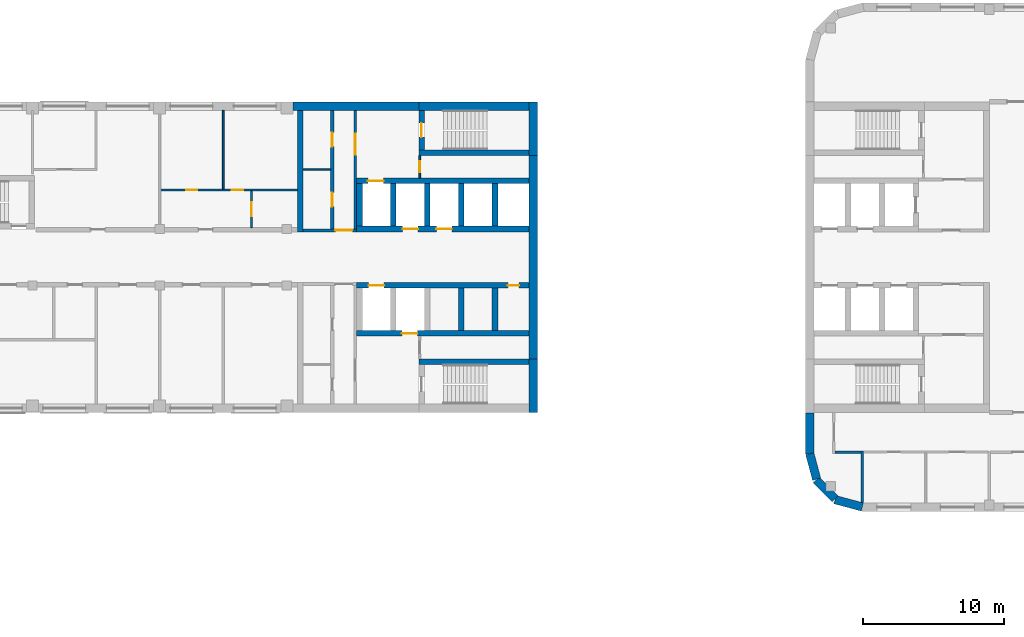
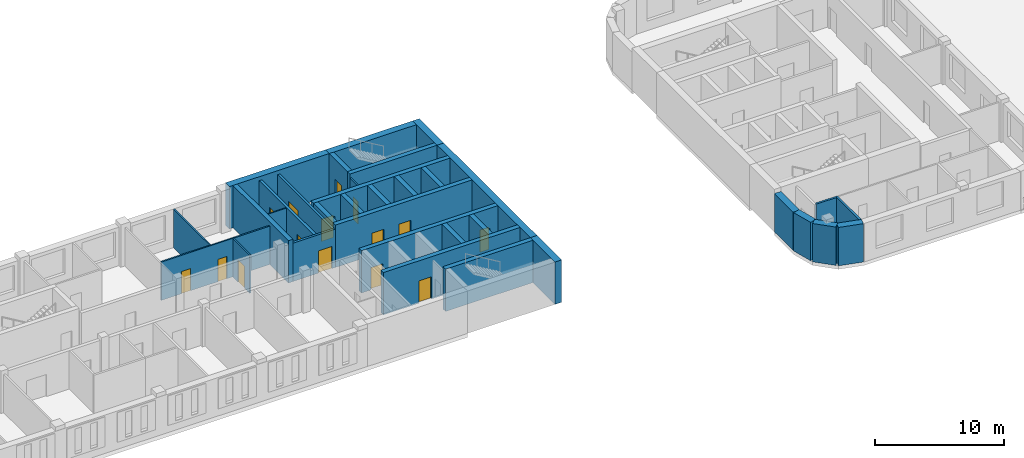
# One storey, part 6 of 14: 34 walls, 15 doors, 15 openings.
"""IFC4 building model written with IfcOpenShell, lengths in metres."""

from ifc_helpers import new_model, si_unit, direction, frame, frame_2d, origin, place, context, subcontext, project, spatial, rectangle, extrude, material, layer, layer_set, type_object, element, fill, save


model = new_model("IFC4")

# Units and contexts
model_context = context("Model", 3, precision=1e-05, world=origin(), true_north=direction((0.0, 1.0)))
body_context = subcontext(model_context, "Body", "Model", "MODEL_VIEW")
ifc_project = project(units=[si_unit("LENGTHUNIT", "METRE"), si_unit("AREAUNIT", "SQUARE_METRE"), si_unit("VOLUMEUNIT", "CUBIC_METRE"), si_unit("PLANEANGLEUNIT", "RADIAN"), si_unit("MASSUNIT", "GRAM", prefix="KILO")], contexts=[model_context])

# Site, building, storey
site_placement = place(None, origin())
site = spatial("IfcSite", under=ifc_project, at=site_placement, CompositionType="ELEMENT")
building_placement = place(site_placement, origin())
building = spatial("IfcBuilding", under=site, at=building_placement, Name="Skarvind Civic Tower", CompositionType="ELEMENT")
storey_placement = place(building_placement, frame((0.0, 0.0, 89.0)))
storey = spatial("IfcBuildingStorey", under=building, at=storey_placement, Name="L20", CompositionType="ELEMENT", Elevation=89.0)

# Walls
ifc_material_1 = material(Name="Acoustic gypsum board on steel studs", Category="steel")
ifc_layer_1 = layer(ifc_material_1, 0.175048828125)
ifc_layer_set_1 = layer_set([ifc_layer_1], Name="ACOUSTIC MEETING-ROOM PARTITION 175")
wall_type_1 = type_object("IfcWallType", Name="ACOUSTIC MEETING-ROOM PARTITION 175", PredefinedType="PARTITIONING", material=ifc_layer_set_1)
wall_1_placement = place(storey_placement, frame((130.912109375, 114.199951171875, 0.0), z_axis=(0.0, 0.0, 1.0), x_axis=(-1.0, 0.0, 0.0)))
element("IfcWall", 1, at=wall_1_placement, inside=storey, type_object=wall_type_1, Name="Partition 20.002", PredefinedType="PARTITIONING", context=body_context, shape_type="SweptSolid", body=[
    extrude(rectangle(XDim=1.82421875, YDim=0.175048828125, at=frame_2d((0.912109375, 0.0))), origin(), (0.0, 0.0, 1.0), 3.625),
])
wall_2_placement = place(storey_placement, frame((131.0, 114.2880859375, 0.0), z_axis=(0.0, 0.0, 1.0), x_axis=(0.0, -1.0, 0.0)))
element("IfcWall", 2, at=wall_2_placement, inside=storey, type_object=wall_type_1, Name="Partition 20.004", PredefinedType="PARTITIONING", context=body_context, shape_type="SweptSolid", body=[
    extrude(rectangle(XDim=3.6669921875, YDim=0.175048828125, at=frame_2d((1.83349609375, 0.0))), origin(), (0.0, 0.0, 1.0), 3.625),
])

# Wall, opening, door
ifc_material_2 = material(Name="Fire-rated masonry partition", Category="masonry")
ifc_layer_2 = layer(ifc_material_2, 0.199951171875)
ifc_layer_set_2 = layer_set([ifc_layer_2], Name="Core enclosure wall 200")
wall_type_2 = type_object("IfcWallType", Name="Core enclosure wall 200", PredefinedType="PARTITIONING", material=ifc_layer_set_2)
wall_3_placement = place(storey_placement, frame((91.39990234375, 129.89990234375, 0.0), z_axis=(0.0, 0.0, 1.0), x_axis=(1.0, 0.0, 0.0)))
wall_3 = element("IfcWall", 3, at=wall_3_placement, inside=storey, type_object=wall_type_2, Name="Core wall C1", PredefinedType="PARTITIONING", context=body_context, shape_type="SweptSolid", body=[
    extrude(rectangle(XDim=3.800048828125, YDim=0.199951171875, at=frame_2d((1.89990234375, 0.0))), origin(), (0.0, 0.0, 1.0), 3.625),
])
opening_1_placement = place(wall_3_placement, frame((2.300048828125, 0.0, 0.0)))
opening_1 = element("IfcOpeningElement", 4, at=opening_1_placement, cuts=wall_3, Name="Opening D-L20-C1-11", PredefinedType="OPENING", context=body_context, shape_type="SweptSolid", body=[
    extrude(rectangle(XDim=1.199951171875, YDim=2.10009765625, at=frame_2d((0.60009765625, 1.050048828125))), frame((0.0, 0.10986328125, 0.0), z_axis=(0.0, -1.0, 0.0), x_axis=(1.0, 0.0, 0.0)), (0.0, 0.0, 1.0), 0.219970703125),
])
ifc_material_3 = material(Name="Fire-rated steel door", Category="steel")
door_type_1 = type_object("IfcDoorType", Name="Core lobby door 1200", OperationType="NOTDEFINED", PredefinedType="DOOR", material=ifc_material_3)
door_1_placement = place(opening_1_placement, origin())
door_1 = element("IfcDoor", 5, at=door_1_placement, inside=storey, type_object=door_type_1, Name="Fire door", OperationType="DOUBLE_DOOR_SINGLE_SWING", OverallHeight=2.10009765625, OverallWidth=1.199951171875, PredefinedType="DOOR", context=body_context, shape_type="SweptSolid", body=[
    extrude(rectangle(XDim=1.199951171875, YDim=2.10009765625, at=frame_2d((0.60009765625, 1.050048828125))), frame((0.0, 0.02490234375, 0.0), z_axis=(0.0, -1.0, 0.0), x_axis=(1.0, 0.0, 0.0)), (0.0, 0.0, 1.0), 0.050048828125),
])
fill(opening_1, door_1)

wall_4_placement = place(storey_placement, frame((95.10009765625, 130.0, 0.0), z_axis=(0.0, 0.0, 1.0), x_axis=(0.0, 1.0, 0.0)))
wall_4 = element("IfcWall", 6, at=wall_4_placement, inside=storey, type_object=wall_type_2, Name="Core wall C1", PredefinedType="PARTITIONING", context=body_context, shape_type="SweptSolid", body=[
    extrude(rectangle(XDim=8.39990234375, YDim=0.199951171875, at=frame_2d((4.199951171875, 0.0))), origin(), (0.0, 0.0, 1.0), 3.625),
])
opening_2_placement = place(wall_4_placement, frame((5.25, 0.0, 0.0)))
opening_2 = element("IfcOpeningElement", 7, at=opening_2_placement, cuts=wall_4, Name="Opening D-L20-C1-12", PredefinedType="OPENING", context=body_context, shape_type="SweptSolid", body=[
    extrude(rectangle(XDim=1.5, YDim=2.10009765625, at=frame_2d((0.75, 1.050048828125))), frame((0.0, 0.10986328125, 0.0), z_axis=(0.0, -1.0, 0.0), x_axis=(1.0, 0.0, 0.0)), (0.0, 0.0, 1.0), 0.219970703125),
])
door_type_2 = type_object("IfcDoorType", Name="Fire door 1500", OperationType="NOTDEFINED", PredefinedType="DOOR", material=ifc_material_3)
door_2_placement = place(opening_2_placement, origin())
door_2 = element("IfcDoor", 8, at=door_2_placement, inside=storey, type_object=door_type_2, Name="Fire door", OperationType="DOUBLE_DOOR_SINGLE_SWING", OverallHeight=2.10009765625, OverallWidth=1.5, PredefinedType="DOOR", context=body_context, shape_type="SweptSolid", body=[
    extrude(rectangle(XDim=1.5, YDim=2.10009765625, at=frame_2d((0.75, 1.050048828125))), frame((0.0, 0.02490234375, 0.0), z_axis=(0.0, -1.0, 0.0), x_axis=(1.0, 0.0, 0.0)), (0.0, 0.0, 1.0), 0.050048828125),
])
fill(opening_2, door_2)

# Walls
ifc_material_4 = material(Name="Fire-rated plasterboard partition")
ifc_layer_3 = layer(ifc_material_4, 0.10009765625)
ifc_layer_set_3 = layer_set([ifc_layer_3], Name="Core partition wall 100")
wall_type_3 = type_object("IfcWallType", Name="Core partition wall 100", PredefinedType="PARTITIONING", material=ifc_layer_set_3)
wall_5_placement = place(storey_placement, frame((91.39990234375, 134.199951171875, 0.0), z_axis=(0.0, 0.0, 1.0), x_axis=(1.0, 0.0, 0.0)))
element("IfcWall", 9, at=wall_5_placement, inside=storey, type_object=wall_type_3, Name="Core wall C1", PredefinedType="PARTITIONING", context=body_context, shape_type="SweptSolid", body=[
    extrude(rectangle(XDim=1.9501953125, YDim=0.10009765625, at=frame_2d((0.97509765625, 0.0))), origin(), (0.0, 0.0, 1.0), 3.625),
])
ifc_material_5 = material(Name="Concrete C80", Category="concrete")
ifc_layer_4 = layer(ifc_material_5, 0.39990234375)
ifc_layer_set_4 = layer_set([ifc_layer_4], Name="Core wall 400 C80")
wall_type_4 = type_object("IfcWallType", Name="Core wall 400 C80", PredefinedType="SHEAR", material=ifc_layer_set_4)
wall_6_placement = place(storey_placement, frame((107.39990234375, 135.39990234375, 0.0), z_axis=(0.0, 0.0, 1.0), x_axis=(-1.0, 0.0, 0.0)))
element("IfcWall", 10, at=wall_6_placement, inside=storey, type_object=wall_type_4, Name="Core wall C1 south stair inner L20", PredefinedType="SHEAR", context=body_context, shape_type="SweptSolid", body=[
    extrude(rectangle(XDim=7.7998046875, YDim=0.39990234375, at=frame_2d((3.89990234375, 0.0))), origin(), (0.0, 0.0, 1.0), 4.0),
])

# Wall, opening, door
wall_7_placement = place(storey_placement, frame((99.800048828125, 138.39990234375, 0.0), z_axis=(0.0, 0.0, 1.0), x_axis=(0.0, -1.0, 0.0)))
wall_7 = element("IfcWall", 11, at=wall_7_placement, inside=storey, type_object=wall_type_4, Name="Core wall C1 south stair end L20", PredefinedType="SHEAR", context=body_context, shape_type="SweptSolid", body=[
    extrude(rectangle(XDim=2.7998046875, YDim=0.39990234375, at=frame_2d((1.39990234375, 0.0))), origin(), (0.0, 0.0, 1.0), 4.0),
])
opening_3_placement = place(wall_7_placement, frame((0.89990234375, 0.0, 0.0)))
opening_3 = element("IfcOpeningElement", 12, at=opening_3_placement, cuts=wall_7, Name="Opening D-L20-C1-13", PredefinedType="OPENING", context=body_context, shape_type="SweptSolid", body=[
    extrude(rectangle(XDim=1.0, YDim=2.10009765625, at=frame_2d((0.5, 1.050048828125))), frame((0.0, 0.2099609375, 0.0), z_axis=(0.0, -1.0, 0.0), x_axis=(1.0, 0.0, 0.0)), (0.0, 0.0, 1.0), 0.419921875),
])
door_type_3 = type_object("IfcDoorType", Name="Fire door 1000", OperationType="NOTDEFINED", PredefinedType="DOOR", material=ifc_material_3)
door_3_placement = place(opening_3_placement, origin())
door_3 = element("IfcDoor", 13, at=door_3_placement, inside=storey, type_object=door_type_3, Name="Fire door", OperationType="SINGLE_SWING_RIGHT", OverallHeight=2.10009765625, OverallWidth=1.0, PredefinedType="DOOR", context=body_context, shape_type="SweptSolid", body=[
    extrude(rectangle(XDim=1.0, YDim=2.10009765625, at=frame_2d((0.5, 1.050048828125))), frame((0.0, 0.02490234375, 0.0), z_axis=(0.0, -1.0, 0.0), x_axis=(1.0, 0.0, 0.0)), (0.0, 0.0, 1.0), 0.050048828125),
])
fill(opening_3, door_3)

# Wall
wall_8_placement = place(storey_placement, frame((107.39990234375, 120.60009765625, 0.0), z_axis=(0.0, 0.0, 1.0), x_axis=(-1.0, 0.0, 0.0)))
element("IfcWall", 14, at=wall_8_placement, inside=storey, type_object=wall_type_4, Name="Core wall C1 north stair inner L20", PredefinedType="SHEAR", context=body_context, shape_type="SweptSolid", body=[
    extrude(rectangle(XDim=7.7998046875, YDim=0.39990234375, at=frame_2d((3.89990234375, 0.0))), origin(), (0.0, 0.0, 1.0), 4.0),
])

# Wall, openings, doors
wall_9_placement = place(storey_placement, frame((107.39990234375, 130.0, 0.0), z_axis=(0.0, 0.0, 1.0), x_axis=(-1.0, 0.0, 0.0)))
wall_9 = element("IfcWall", 15, at=wall_9_placement, inside=storey, type_object=wall_type_4, Name="Core wall C1 south lift row front L20", PredefinedType="SHEAR", context=body_context, shape_type="SweptSolid", body=[
    extrude(rectangle(XDim=12.199951171875, YDim=0.39990234375, at=frame_2d((6.10009765625, 0.0))), origin(), (0.0, 0.0, 1.0), 4.0),
])
opening_4_placement = place(wall_9_placement, frame((5.449951171875, 0.0, 0.0)))
opening_4 = element("IfcOpeningElement", 16, at=opening_4_placement, cuts=wall_9, Name="Opening LD22108", PredefinedType="OPENING", context=body_context, shape_type="SweptSolid", body=[
    extrude(rectangle(XDim=1.10009765625, YDim=2.10009765625, at=frame_2d((0.550048828125, 1.050048828125))), frame((0.0, 0.2099609375, 0.0), z_axis=(0.0, -1.0, 0.0), x_axis=(1.0, 0.0, 0.0)), (0.0, 0.0, 1.0), 0.419921875),
])
opening_5_placement = place(wall_9_placement, frame((7.85009765625, 0.0, 0.0)))
opening_5 = element("IfcOpeningElement", 17, at=opening_5_placement, cuts=wall_9, Name="Opening LD22109", PredefinedType="OPENING", context=body_context, shape_type="SweptSolid", body=[
    extrude(rectangle(XDim=1.10009765625, YDim=2.10009765625, at=frame_2d((0.550048828125, 1.050048828125))), frame((0.0, 0.2099609375, 0.0), z_axis=(0.0, -1.0, 0.0), x_axis=(1.0, 0.0, 0.0)), (0.0, 0.0, 1.0), 0.419921875),
])
ifc_material_6 = material(Name="Stainless steel landing door", Category="steel")
door_type_4 = type_object("IfcDoorType", Name="Lift landing door 1100", OperationType="DOUBLE_DOOR_SLIDING", PredefinedType="DOOR", material=ifc_material_6)
door_4_placement = place(opening_4_placement, origin())
door_4 = element("IfcDoor", 18, at=door_4_placement, inside=storey, type_object=door_type_4, Name="Lift landing door", OperationType="DOUBLE_DOOR_SLIDING", OverallHeight=2.10009765625, OverallWidth=1.10009765625, PredefinedType="DOOR", context=body_context, shape_type="SweptSolid", body=[
    extrude(rectangle(XDim=1.10009765625, YDim=2.10009765625, at=frame_2d((0.550048828125, 1.050048828125))), frame((0.0, 0.02490234375, 0.0), z_axis=(0.0, -1.0, 0.0), x_axis=(1.0, 0.0, 0.0)), (0.0, 0.0, 1.0), 0.050048828125),
])
fill(opening_4, door_4)
door_5_placement = place(opening_5_placement, origin())
door_5 = element("IfcDoor", 19, at=door_5_placement, inside=storey, type_object=door_type_4, Name="Lift landing door", OperationType="DOUBLE_DOOR_SLIDING", OverallHeight=2.10009765625, OverallWidth=1.10009765625, PredefinedType="DOOR", context=body_context, shape_type="SweptSolid", body=[
    extrude(rectangle(XDim=1.10009765625, YDim=2.10009765625, at=frame_2d((0.550048828125, 1.050048828125))), frame((0.0, 0.02490234375, 0.0), z_axis=(0.0, -1.0, 0.0), x_axis=(1.0, 0.0, 0.0)), (0.0, 0.0, 1.0), 0.050048828125),
])
fill(opening_5, door_5)

# Wall, opening, door
wall_10_placement = place(storey_placement, frame((107.39990234375, 133.39990234375, 0.0), z_axis=(0.0, 0.0, 1.0), x_axis=(-1.0, 0.0, 0.0)))
wall_10 = element("IfcWall", 20, at=wall_10_placement, inside=storey, type_object=wall_type_4, Name="Core wall C1 south lift row back L20", PredefinedType="SHEAR", context=body_context, shape_type="SweptSolid", body=[
    extrude(rectangle(XDim=12.199951171875, YDim=0.39990234375, at=frame_2d((6.10009765625, 0.0))), origin(), (0.0, 0.0, 1.0), 4.0),
])
opening_6_placement = place(wall_10_placement, frame((10.300048828125, 0.0, 0.0)))
opening_6 = element("IfcOpeningElement", 21, at=opening_6_placement, cuts=wall_10, Name="Opening LD22110", PredefinedType="OPENING", context=body_context, shape_type="SweptSolid", body=[
    extrude(rectangle(XDim=1.10009765625, YDim=2.10009765625, at=frame_2d((0.550048828125, 1.050048828125))), frame((0.0, 0.2099609375, 0.0), z_axis=(0.0, -1.0, 0.0), x_axis=(1.0, 0.0, 0.0)), (0.0, 0.0, 1.0), 0.419921875),
])
door_6_placement = place(opening_6_placement, origin())
door_6 = element("IfcDoor", 22, at=door_6_placement, inside=storey, type_object=door_type_4, Name="Lift landing door", OperationType="DOUBLE_DOOR_SLIDING", OverallHeight=2.10009765625, OverallWidth=1.10009765625, PredefinedType="DOOR", context=body_context, shape_type="SweptSolid", body=[
    extrude(rectangle(XDim=1.10009765625, YDim=2.10009765625, at=frame_2d((0.550048828125, 1.050048828125))), frame((0.0, 0.02490234375, 0.0), z_axis=(0.0, -1.0, 0.0), x_axis=(1.0, 0.0, 0.0)), (0.0, 0.0, 1.0), 0.050048828125),
])
fill(opening_6, door_6)

# Walls
for number, where, z_axis, x_axis, name in (
    (23, (105.0, 133.199951171875, 0.0), (0.0, 0.0, 1.0), (0.0, -1.0, 0.0), "Core wall C1 south lift row division 1 L20"),
    (24, (102.60009765625, 133.199951171875, 0.0), (0.0, 0.0, 1.0), (0.0, -1.0, 0.0), "Core wall C1 south lift row division 2 L20"),
    (25, (100.199951171875, 133.199951171875, 0.0), (0.0, 0.0, 1.0), (0.0, -1.0, 0.0), "Core wall C1 south lift row division 3 L20"),
    (26, (97.800048828125, 133.199951171875, 0.0), (0.0, 0.0, 1.0), (0.0, -1.0, 0.0), "Core wall C1 south lift row division 4 L20"),
    (27, (95.39990234375, 133.199951171875, 0.0), (0.0, 0.0, 1.0), (0.0, -1.0, 0.0), "Core wall C1 south lift row division 5 L20"),
):
    element("IfcWall", number, at=place(storey_placement, frame(where, z_axis=z_axis, x_axis=x_axis)), inside=storey, type_object=wall_type_4, Name=name, PredefinedType="SHEAR", context=body_context, shape_type="SweptSolid", body=[
        extrude(rectangle(XDim=3.0, YDim=0.39990234375, at=frame_2d((1.5, 0.0))), origin(), (0.0, 0.0, 1.0), 4.0),
    ])

# Wall, openings, doors
wall_11_placement = place(storey_placement, frame((107.39990234375, 126.0, 0.0), z_axis=(0.0, 0.0, 1.0), x_axis=(-1.0, 0.0, 0.0)))
wall_11 = element("IfcWall", 28, at=wall_11_placement, inside=storey, type_object=wall_type_4, Name="Core wall C1 north lift row front L20", PredefinedType="SHEAR", context=body_context, shape_type="SweptSolid", body=[
    extrude(rectangle(XDim=12.199951171875, YDim=0.39990234375, at=frame_2d((6.10009765625, 0.0))), origin(), (0.0, 0.0, 1.0), 4.0),
])
opening_7_placement = place(wall_11_placement, frame((10.25, 0.0, 0.0)))
opening_7 = element("IfcOpeningElement", 29, at=opening_7_placement, cuts=wall_11, Name="Opening LD22105", PredefinedType="OPENING", context=body_context, shape_type="SweptSolid", body=[
    extrude(rectangle(XDim=1.10009765625, YDim=2.10009765625, at=frame_2d((0.550048828125, 1.050048828125))), frame((0.0, 0.2099609375, 0.0), z_axis=(0.0, -1.0, 0.0), x_axis=(1.0, 0.0, 0.0)), (0.0, 0.0, 1.0), 0.419921875),
])
opening_8_placement = place(wall_11_placement, frame((0.699951171875, 0.0, 0.0)))
opening_8 = element("IfcOpeningElement", 30, at=opening_8_placement, cuts=wall_11, Name="Opening D-L20-C1-04", PredefinedType="OPENING", context=body_context, shape_type="SweptSolid", body=[
    extrude(rectangle(XDim=0.800048828125, YDim=2.10009765625, at=frame_2d((0.39990234375, 1.050048828125))), frame((0.0, 0.2099609375, 0.0), z_axis=(0.0, -1.0, 0.0), x_axis=(1.0, 0.0, 0.0)), (0.0, 0.0, 1.0), 0.419921875),
])
door_type_5 = type_object("IfcDoorType", Name="Core riser door 800", OperationType="NOTDEFINED", PredefinedType="DOOR", material=ifc_material_3)
door_7_placement = place(opening_8_placement, origin())
door_7 = element("IfcDoor", 31, at=door_7_placement, inside=storey, type_object=door_type_5, Name="Riser door", OperationType="SINGLE_SWING_LEFT", OverallHeight=2.10009765625, OverallWidth=0.800048828125, PredefinedType="DOOR", context=body_context, shape_type="SweptSolid", body=[
    extrude(rectangle(XDim=0.800048828125, YDim=2.10009765625, at=frame_2d((0.39990234375, 1.050048828125))), frame((0.0, 0.02490234375, 0.0), z_axis=(0.0, -1.0, 0.0), x_axis=(1.0, 0.0, 0.0)), (0.0, 0.0, 1.0), 0.050048828125),
])
fill(opening_8, door_7)
door_8_placement = place(opening_7_placement, origin())
door_8 = element("IfcDoor", 32, at=door_8_placement, inside=storey, type_object=door_type_4, Name="Lift landing door", OperationType="DOUBLE_DOOR_SLIDING", OverallHeight=2.10009765625, OverallWidth=1.10009765625, PredefinedType="DOOR", context=body_context, shape_type="SweptSolid", body=[
    extrude(rectangle(XDim=1.10009765625, YDim=2.10009765625, at=frame_2d((0.550048828125, 1.050048828125))), frame((0.0, 0.02490234375, 0.0), z_axis=(0.0, -1.0, 0.0), x_axis=(1.0, 0.0, 0.0)), (0.0, 0.0, 1.0), 0.050048828125),
])
fill(opening_7, door_8)

# Wall, opening, door
wall_12_placement = place(storey_placement, frame((107.39990234375, 122.60009765625, 0.0), z_axis=(0.0, 0.0, 1.0), x_axis=(-1.0, 0.0, 0.0)))
wall_12 = element("IfcWall", 33, at=wall_12_placement, inside=storey, type_object=wall_type_4, Name="Core wall C1 north lift row back L20", PredefinedType="SHEAR", context=body_context, shape_type="SweptSolid", body=[
    extrude(rectangle(XDim=12.199951171875, YDim=0.39990234375, at=frame_2d((6.10009765625, 0.0))), origin(), (0.0, 0.0, 1.0), 4.0),
])
opening_9_placement = place(wall_12_placement, frame((7.89990234375, 0.0, 0.0)))
opening_9 = element("IfcOpeningElement", 34, at=opening_9_placement, cuts=wall_12, Name="Opening LD22104", PredefinedType="OPENING", context=body_context, shape_type="SweptSolid", body=[
    extrude(rectangle(XDim=1.10009765625, YDim=2.10009765625, at=frame_2d((0.550048828125, 1.050048828125))), frame((0.0, 0.2099609375, 0.0), z_axis=(0.0, -1.0, 0.0), x_axis=(1.0, 0.0, 0.0)), (0.0, 0.0, 1.0), 0.419921875),
])
door_9_placement = place(opening_9_placement, origin())
door_9 = element("IfcDoor", 35, at=door_9_placement, inside=storey, type_object=door_type_4, Name="Lift landing door", OperationType="DOUBLE_DOOR_SLIDING", OverallHeight=2.10009765625, OverallWidth=1.10009765625, PredefinedType="DOOR", context=body_context, shape_type="SweptSolid", body=[
    extrude(rectangle(XDim=1.10009765625, YDim=2.10009765625, at=frame_2d((0.550048828125, 1.050048828125))), frame((0.0, 0.02490234375, 0.0), z_axis=(0.0, -1.0, 0.0), x_axis=(1.0, 0.0, 0.0)), (0.0, 0.0, 1.0), 0.050048828125),
])
fill(opening_9, door_9)

# Walls
for number, where, z_axis, x_axis, name in (
    (36, (105.0, 125.800048828125, 0.0), (0.0, 0.0, 1.0), (0.0, -1.0, 0.0), "Core wall C1 north lift row division 1 L20"),
    (37, (102.60009765625, 125.800048828125, 0.0), (0.0, 0.0, 1.0), (0.0, -1.0, 0.0), "Core wall C1 north lift row division 2 L20"),
):
    element("IfcWall", number, at=place(storey_placement, frame(where, z_axis=z_axis, x_axis=x_axis)), inside=storey, type_object=wall_type_4, Name=name, PredefinedType="SHEAR", context=body_context, shape_type="SweptSolid", body=[
        extrude(rectangle(XDim=3.0, YDim=0.39990234375, at=frame_2d((1.5, 0.0))), origin(), (0.0, 0.0, 1.0), 4.0),
    ])
wall_13_placement = place(storey_placement, frame((91.199951171875, 138.39990234375, 0.0), z_axis=(0.0, 0.0, 1.0), x_axis=(0.0, -1.0, 0.0)))
element("IfcWall", 38, at=wall_13_placement, inside=storey, type_object=wall_type_4, Name="Core wall C1 south inner face L20", PredefinedType="SHEAR", context=body_context, shape_type="SweptSolid", body=[
    extrude(rectangle(XDim=8.599853515625, YDim=0.39990234375, at=frame_2d((4.2998046875, 0.0))), origin(), (0.0, 0.0, 1.0), 4.0),
])
ifc_layer_5 = layer(ifc_material_5, 0.60009765625)
ifc_layer_set_5 = layer_set([ifc_layer_5], Name="Core wall 600 C80")
wall_type_5 = type_object("IfcWallType", Name="Core wall 600 C80", PredefinedType="SHEAR", material=ifc_layer_set_5)
wall_14_placement = place(storey_placement, frame((107.699951171875, 139.0, 0.0), z_axis=(0.0, 0.0, 1.0), x_axis=(0.0, -1.0, 0.0)))
element("IfcWall", 39, at=wall_14_placement, inside=storey, type_object=wall_type_5, Name="Core wall C1 tip at the south stair L20", PredefinedType="SHEAR", context=body_context, shape_type="SweptSolid", body=[
    extrude(rectangle(XDim=3.800048828125, YDim=0.60009765625, at=frame_2d((1.89990234375, 0.0))), origin(), (0.0, 0.0, 1.0), 4.0),
])
wall_15_placement = place(storey_placement, frame((107.699951171875, 135.199951171875, 0.0), z_axis=(0.0, 0.0, 1.0), x_axis=(0.0, -1.0, 0.0)))
element("IfcWall", 40, at=wall_15_placement, inside=storey, type_object=wall_type_5, Name="Core wall C1 tip between the stairs L20", PredefinedType="SHEAR", context=body_context, shape_type="SweptSolid", body=[
    extrude(rectangle(XDim=14.39990234375, YDim=0.60009765625, at=frame_2d((7.199951171875, 0.0))), origin(), (0.0, 0.0, 1.0), 4.0),
])
wall_16_placement = place(storey_placement, frame((107.699951171875, 120.800048828125, 0.0), z_axis=(0.0, 0.0, 1.0), x_axis=(0.0, -1.0, 0.0)))
element("IfcWall", 41, at=wall_16_placement, inside=storey, type_object=wall_type_5, Name="Core wall C1 tip at the north stair L20", PredefinedType="SHEAR", context=body_context, shape_type="SweptSolid", body=[
    extrude(rectangle(XDim=3.800048828125, YDim=0.60009765625, at=frame_2d((1.89990234375, 0.0))), origin(), (0.0, 0.0, 1.0), 4.0),
])
wall_17_placement = place(storey_placement, frame((107.39990234375, 138.699951171875, 0.0), z_axis=(0.0, 0.0, 1.0), x_axis=(-1.0, 0.0, 0.0)))
element("IfcWall", 42, at=wall_17_placement, inside=storey, type_object=wall_type_5, Name="Core wall C1 south side at the stair L20", PredefinedType="SHEAR", context=body_context, shape_type="SweptSolid", body=[
    extrude(rectangle(XDim=7.7998046875, YDim=0.60009765625, at=frame_2d((3.89990234375, 0.0))), origin(), (0.0, 0.0, 1.0), 4.0),
])
wall_18_placement = place(storey_placement, frame((99.60009765625, 138.699951171875, 0.0), z_axis=(0.0, 0.0, 1.0), x_axis=(-1.0, 0.0, 0.0)))
element("IfcWall", 43, at=wall_18_placement, inside=storey, type_object=wall_type_5, Name="Core wall C1 south side L20", PredefinedType="SHEAR", context=body_context, shape_type="SweptSolid", body=[
    extrude(rectangle(XDim=8.925048828125, YDim=0.60009765625, at=frame_2d((4.46240234375, 0.0))), origin(), (0.0, 0.0, 1.0), 4.0),
])

# Wall, opening, door
ifc_layer_6 = layer(ifc_material_2, 0.125)
ifc_layer_set_6 = layer_set([ifc_layer_6], Name="Riser wall 125")
wall_type_6 = type_object("IfcWallType", Name="Riser wall 125", PredefinedType="PARTITIONING", material=ifc_layer_set_6)
wall_19_placement = place(storey_placement, frame((99.66259765625, 133.60009765625, 0.0), z_axis=(0.0, 0.0, 1.0), x_axis=(0.0, 1.0, 0.0)))
wall_19 = element("IfcWall", 44, at=wall_19_placement, inside=storey, type_object=wall_type_6, Name="Core wall C1", PredefinedType="PARTITIONING", context=body_context, shape_type="SweptSolid", body=[
    extrude(rectangle(XDim=1.599853515625, YDim=0.125, at=frame_2d((0.7998046875, 0.0))), origin(), (0.0, 0.0, 1.0), 3.625),
])
opening_10_placement = place(wall_19_placement, frame((0.39990234375, 0.0, 0.0)))
opening_10 = element("IfcOpeningElement", 45, at=opening_10_placement, cuts=wall_19, Name="Opening D-L20-C1-14", PredefinedType="OPENING", context=body_context, shape_type="SweptSolid", body=[
    extrude(rectangle(XDim=0.800048828125, YDim=2.10009765625, at=frame_2d((0.39990234375, 1.050048828125))), frame((0.0, 0.072509765625, 0.0), z_axis=(0.0, -1.0, 0.0), x_axis=(1.0, 0.0, 0.0)), (0.0, 0.0, 1.0), 0.14501953125),
])
door_10_placement = place(opening_10_placement, origin())
door_10 = element("IfcDoor", 46, at=door_10_placement, inside=storey, type_object=door_type_5, Name="Riser door", OperationType="SINGLE_SWING_LEFT", OverallHeight=2.10009765625, OverallWidth=0.800048828125, PredefinedType="DOOR", context=body_context, shape_type="SweptSolid", body=[
    extrude(rectangle(XDim=0.800048828125, YDim=2.10009765625, at=frame_2d((0.39990234375, 1.050048828125))), frame((0.0, 0.02490234375, 0.0), z_axis=(0.0, -1.0, 0.0), x_axis=(1.0, 0.0, 0.0)), (0.0, 0.0, 1.0), 0.050048828125),
])
fill(opening_10, door_10)

# Wall, openings, doors
ifc_layer_7 = layer(ifc_material_2, 0.25)
ifc_layer_set_7 = layer_set([ifc_layer_7], Name="Service block wall 250")
wall_type_7 = type_object("IfcWallType", Name="Service block wall 250", PredefinedType="PARTITIONING", material=ifc_layer_set_7)
wall_20_placement = place(storey_placement, frame((93.47509765625, 130.0, 0.0), z_axis=(0.0, 0.0, 1.0), x_axis=(0.0, 1.0, 0.0)))
wall_20 = element("IfcWall", 47, at=wall_20_placement, inside=storey, type_object=wall_type_7, Name="Core wall C1", PredefinedType="PARTITIONING", context=body_context, shape_type="SweptSolid", body=[
    extrude(rectangle(XDim=8.39990234375, YDim=0.25, at=frame_2d((4.199951171875, 0.0))), origin(), (0.0, 0.0, 1.0), 3.625),
])
opening_11_placement = place(wall_20_placement, frame((1.574951171875, 0.0, 0.0)))
opening_11 = element("IfcOpeningElement", 48, at=opening_11_placement, cuts=wall_20, Name="Opening D-L20-C1-15", PredefinedType="OPENING", context=body_context, shape_type="SweptSolid", body=[
    extrude(rectangle(XDim=1.0, YDim=2.10009765625, at=frame_2d((0.5, 1.050048828125))), frame((0.0, 0.135009765625, 0.0), z_axis=(0.0, -1.0, 0.0), x_axis=(1.0, 0.0, 0.0)), (0.0, 0.0, 1.0), 0.27001953125),
])
opening_12_placement = place(wall_20_placement, frame((5.824951171875, 0.0, 0.0)))
opening_12 = element("IfcOpeningElement", 49, at=opening_12_placement, cuts=wall_20, Name="Opening D-L20-C1-16", PredefinedType="OPENING", context=body_context, shape_type="SweptSolid", body=[
    extrude(rectangle(XDim=1.0, YDim=2.10009765625, at=frame_2d((0.5, 1.050048828125))), frame((0.0, 0.135009765625, 0.0), z_axis=(0.0, -1.0, 0.0), x_axis=(1.0, 0.0, 0.0)), (0.0, 0.0, 1.0), 0.27001953125),
])
door_11_placement = place(opening_11_placement, origin())
door_11 = element("IfcDoor", 50, at=door_11_placement, inside=storey, type_object=door_type_3, Name="Fire door", OperationType="SINGLE_SWING_RIGHT", OverallHeight=2.10009765625, OverallWidth=1.0, PredefinedType="DOOR", context=body_context, shape_type="SweptSolid", body=[
    extrude(rectangle(XDim=1.0, YDim=2.10009765625, at=frame_2d((0.5, 1.050048828125))), frame((0.0, 0.02490234375, 0.0), z_axis=(0.0, -1.0, 0.0), x_axis=(1.0, 0.0, 0.0)), (0.0, 0.0, 1.0), 0.050048828125),
])
fill(opening_11, door_11)
door_12_placement = place(opening_12_placement, origin())
door_12 = element("IfcDoor", 51, at=door_12_placement, inside=storey, type_object=door_type_3, Name="Fire door", OperationType="SINGLE_SWING_LEFT", OverallHeight=2.10009765625, OverallWidth=1.0, PredefinedType="DOOR", context=body_context, shape_type="SweptSolid", body=[
    extrude(rectangle(XDim=1.0, YDim=2.10009765625, at=frame_2d((0.5, 1.050048828125))), frame((0.0, 0.02490234375, 0.0), z_axis=(0.0, -1.0, 0.0), x_axis=(1.0, 0.0, 0.0)), (0.0, 0.0, 1.0), 0.050048828125),
])
fill(opening_12, door_12)

ifc_material_7 = material(Name="Moisture-resistant gypsum board on steel studs", Category="steel")
ifc_layer_8 = layer(ifc_material_7, 0.125)
ifc_layer_set_8 = layer_set([ifc_layer_8], Name="WC PARTITION 125")
wall_type_8 = type_object("IfcWallType", Name="WC PARTITION 125", PredefinedType="PARTITIONING", material=ifc_layer_set_8)
wall_21_placement = place(storey_placement, frame((81.31201171875, 132.75, 0.0), z_axis=(0.0, 0.0, 1.0), x_axis=(1.0, 0.0, 0.0)))
wall_21 = element("IfcWall", 52, at=wall_21_placement, inside=storey, type_object=wall_type_8, Name="Partition 20.034", PredefinedType="PARTITIONING", context=body_context, shape_type="SweptSolid", body=[
    extrude(rectangle(XDim=9.68798828125, YDim=0.125, at=frame_2d((4.843994140625, 0.0))), origin(), (0.0, 0.0, 1.0), 3.625),
])
opening_13_placement = place(wall_21_placement, frame((1.80908203125, 0.0, 0.0)))
opening_13 = element("IfcOpeningElement", 53, at=opening_13_placement, cuts=wall_21, Name="Opening L20-D003", PredefinedType="OPENING", context=body_context, shape_type="SweptSolid", body=[
    extrude(rectangle(XDim=0.800048828125, YDim=2.10009765625, at=frame_2d((0.39990234375, 1.050048828125))), frame((0.0, 0.072509765625, 0.0), z_axis=(0.0, -1.0, 0.0), x_axis=(1.0, 0.0, 0.0)), (0.0, 0.0, 1.0), 0.14501953125),
])
opening_14_placement = place(wall_21_placement, frame((5.03955078125, 0.0, 0.0)))
opening_14 = element("IfcOpeningElement", 54, at=opening_14_placement, cuts=wall_21, Name="Opening L20-D004", PredefinedType="OPENING", context=body_context, shape_type="SweptSolid", body=[
    extrude(rectangle(XDim=0.800048828125, YDim=2.10009765625, at=frame_2d((0.39990234375, 1.050048828125))), frame((0.0, 0.072509765625, 0.0), z_axis=(0.0, -1.0, 0.0), x_axis=(1.0, 0.0, 0.0)), (0.0, 0.0, 1.0), 0.14501953125),
])
ifc_material_8 = material(Name="Timber door leaf", Category="wood")
door_type_6 = type_object("IfcDoorType", Name="DOOR 800X2100 TIMBER", OperationType="NOTDEFINED", PredefinedType="DOOR", material=ifc_material_8)
door_13_placement = place(opening_13_placement, origin())
door_13 = element("IfcDoor", 55, at=door_13_placement, inside=storey, type_object=door_type_6, Name="Door L20-D003", OperationType="SINGLE_SWING_LEFT", OverallHeight=2.10009765625, OverallWidth=0.800048828125, PredefinedType="DOOR", context=body_context, shape_type="SweptSolid", body=[
    extrude(rectangle(XDim=0.800048828125, YDim=2.10009765625, at=frame_2d((0.39990234375, 1.050048828125))), frame((0.0, 0.02490234375, 0.0), z_axis=(0.0, -1.0, 0.0), x_axis=(1.0, 0.0, 0.0)), (0.0, 0.0, 1.0), 0.050048828125),
])
fill(opening_13, door_13)
door_14_placement = place(opening_14_placement, origin())
door_14 = element("IfcDoor", 56, at=door_14_placement, inside=storey, type_object=door_type_6, Name="Door L20-D004", OperationType="SINGLE_SWING_LEFT", OverallHeight=2.10009765625, OverallWidth=0.800048828125, PredefinedType="DOOR", context=body_context, shape_type="SweptSolid", body=[
    extrude(rectangle(XDim=0.800048828125, YDim=2.10009765625, at=frame_2d((0.39990234375, 1.050048828125))), frame((0.0, 0.02490234375, 0.0), z_axis=(0.0, -1.0, 0.0), x_axis=(1.0, 0.0, 0.0)), (0.0, 0.0, 1.0), 0.050048828125),
])
fill(opening_14, door_14)

# Wall
wall_22_placement = place(storey_placement, frame((85.75, 132.81201171875, 0.0), z_axis=(0.0, 0.0, 1.0), x_axis=(0.0, 1.0, 0.0)))
element("IfcWall", 57, at=wall_22_placement, inside=storey, type_object=wall_type_8, Name="Partition 20.036", PredefinedType="PARTITIONING", context=body_context, shape_type="SweptSolid", body=[
    extrude(rectangle(XDim=5.587890625, YDim=0.125, at=frame_2d((2.7939453125, 0.0))), origin(), (0.0, 0.0, 1.0), 3.625),
])

# Wall, opening, door
wall_23_placement = place(storey_placement, frame((87.75, 132.68798828125, 0.0), z_axis=(0.0, 0.0, 1.0), x_axis=(0.0, -1.0, 0.0)))
wall_23 = element("IfcWall", 58, at=wall_23_placement, inside=storey, type_object=wall_type_8, Name="Partition 20.037", PredefinedType="PARTITIONING", context=body_context, shape_type="SweptSolid", body=[
    extrude(rectangle(XDim=2.587890625, YDim=0.125, at=frame_2d((1.2939453125, 0.0))), origin(), (0.0, 0.0, 1.0), 3.625),
])
opening_15_placement = place(wall_23_placement, frame((0.7939453125, 0.0, 0.0)))
opening_15 = element("IfcOpeningElement", 59, at=opening_15_placement, cuts=wall_23, Name="Opening L20-D002", PredefinedType="OPENING", context=body_context, shape_type="SweptSolid", body=[
    extrude(rectangle(XDim=1.0, YDim=2.10009765625, at=frame_2d((0.5, 1.050048828125))), frame((0.0, 0.072509765625, 0.0), z_axis=(0.0, -1.0, 0.0), x_axis=(1.0, 0.0, 0.0)), (0.0, 0.0, 1.0), 0.14501953125),
])
door_type_7 = type_object("IfcDoorType", Name="D1 1000x2100", OperationType="NOTDEFINED", PredefinedType="DOOR", material=ifc_material_8)
door_15_placement = place(opening_15_placement, origin())
door_15 = element("IfcDoor", 60, at=door_15_placement, inside=storey, type_object=door_type_7, Name="Door L20-D002", OperationType="SINGLE_SWING_RIGHT", OverallHeight=2.10009765625, OverallWidth=1.0, PredefinedType="DOOR", context=body_context, shape_type="SweptSolid", body=[
    extrude(rectangle(XDim=1.0, YDim=2.10009765625, at=frame_2d((0.5, 1.050048828125))), frame((0.0, 0.02490234375, 0.0), z_axis=(0.0, -1.0, 0.0), x_axis=(1.0, 0.0, 0.0)), (0.0, 0.0, 1.0), 0.050048828125),
])
fill(opening_15, door_15)

# Walls
ifc_material_9 = material(Name="Limestone masonry cladding on insulated backing", Category="masonry")
ifc_layer_9 = layer(ifc_material_9, 0.60009765625)
ifc_layer_set_9 = layer_set([ifc_layer_9], Name="WX1 STONE FACADE WALL 600")
wall_type_9 = type_object("IfcWallType", Name="WX1 STONE FACADE WALL 600", PredefinedType="SOLIDWALL", material=ifc_layer_set_9)
wall_24_placement = place(storey_placement, frame((127.300048828125, 114.070068359375, 0.0), z_axis=(0.0, 0.0, 1.0), x_axis=(0.0, 1.0, 0.0)))
element("IfcWall", 61, at=wall_24_placement, inside=storey, type_object=wall_type_9, Name="STONE FACADE WALL", PredefinedType="SOLIDWALL", context=body_context, shape_type="SweptSolid", body=[
    extrude(rectangle(XDim=2.909912109375, YDim=0.60009765625, at=frame_2d((1.455078125, 0.0))), origin(), (0.0, 0.0, 1.0), 3.625),
])
for number, where, z_axis, x_axis, name in (
    (62, (127.771240234375, 112.280517578125, 0.0), (0.0, 0.0, 1.0), (-0.258773254036, 0.965938094805, 0.0), "STONE FACADE WALL"),
    (63, (129.063720703125, 110.896484375, 0.0), (0.0, 0.0, 1.0), (-0.707106781187, 0.707106781187, 0.0), "STONE FACADE WALL"),
):
    element("IfcWall", number, at=place(storey_placement, frame(where, z_axis=z_axis, x_axis=x_axis)), inside=storey, type_object=wall_type_9, Name=name, PredefinedType="SOLIDWALL", context=body_context, shape_type="SweptSolid", body=[
        extrude(rectangle(XDim=1.860595703125, YDim=0.60009765625, at=frame_2d((0.93017578125, 0.0))), origin(), (0.0, 0.0, 1.0), 3.625),
    ])
wall_25_placement = place(storey_placement, frame((131.010009765625, 110.307861328125, 0.0), z_axis=(0.0, 0.0, 1.0), x_axis=(-0.965920269068, 0.258839784042, 0.0)))
element("IfcWall", 64, at=wall_25_placement, inside=storey, type_object=wall_type_9, Name="STONE FACADE WALL", PredefinedType="SOLIDWALL", context=body_context, shape_type="SweptSolid", body=[
    extrude(rectangle(XDim=2.00048828125, YDim=0.60009765625, at=frame_2d((1.000244140625, 0.0))), origin(), (0.0, 0.0, 1.0), 3.625),
])

save(model, "model.ifc")
